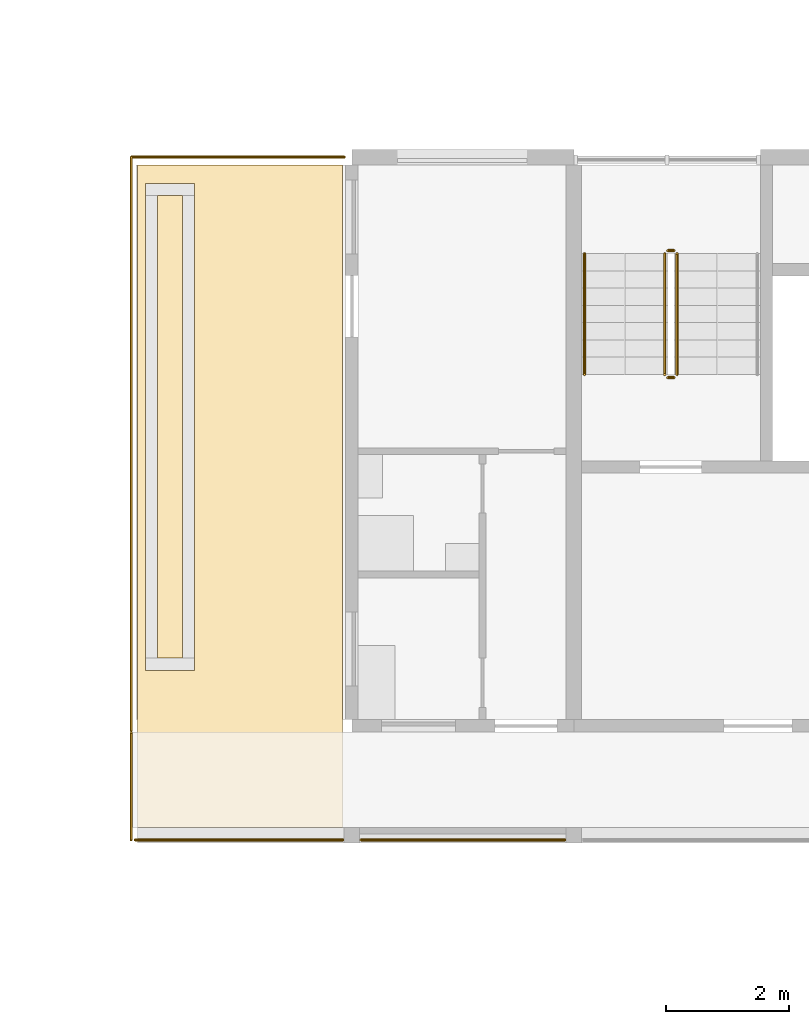
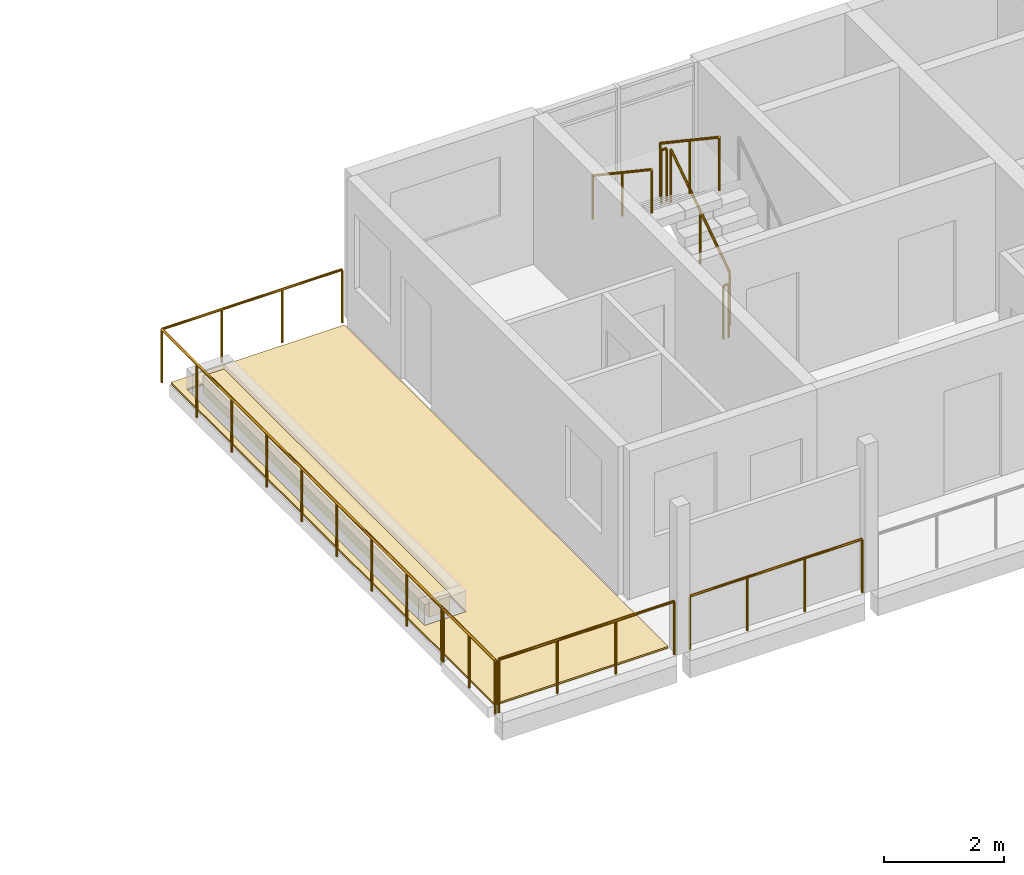
# One storey, part 73 of 87: 9 railings, 3 coverings.
"""IFC4 building model written with IfcOpenShell, lengths in metres."""

import ifcopenshell
import ifcopenshell.guid

model = None  # the IFC model being written
_history = None  # IfcOwnerHistory: only IFC2X3 demands one
_inside = {}  # id of a spatial element -> (the spatial element, [elements in it])
_under = {}  # id of a project, library or spatial element -> (it, [spatial elements below it])
_declared = {}  # id of a project -> (the project, [libraries it declares])
_typed = {}  # id of a type object -> (the type object, [elements of that type])
_made_of = {}  # id of a material, layer set ... -> (it, [elements and type objects made of it])


def new_model(schema):
    """Start an empty IFC model of exactly this schema.

    Asked for "IFC4X3", IfcOpenShell would pick the latest addendum, in which some entities
    have other attributes; the version numbers below select the first issue.
    IFC2X3 requires an IfcOwnerHistory on every rooted entity: one is made here for all.
    """
    global model, _history
    if schema == "IFC4X3":
        model = ifcopenshell.file(schema_version=(4, 3, 0, 0))
    else:
        model = ifcopenshell.file(schema=schema)
    _inside.clear()
    _under.clear()
    _declared.clear()
    _typed.clear()
    _made_of.clear()
    _history = None
    if model.schema == "IFC2X3":
        org = make("IfcOrganization", Name="unknown")
        user = make(
            "IfcPersonAndOrganization",
            ThePerson=make("IfcPerson", FamilyName="unknown"),
            TheOrganization=org,
        )
        app = make(
            "IfcApplication",
            ApplicationDeveloper=org,
            Version="unknown",
            ApplicationFullName="unknown",
            ApplicationIdentifier="unknown",
        )
        _history = make(
            "IfcOwnerHistory",
            OwningUser=user,
            OwningApplication=app,
            ChangeAction="ADDED",
            CreationDate=0,
        )
    return model


def make(cls, **values):
    """One entity of the class cls with the attributes given. An attribute that is None is left unset."""
    return model.create_entity(
        cls, **{name: value for name, value in values.items() if value is not None}
    )


def rooted(cls, **values):
    """An entity with a GlobalId (a new one), such as an element, a storey or a relation."""
    return make(cls, GlobalId=ifcopenshell.guid.new(), OwnerHistory=_history, **values)


def si_unit(unit_type, name, prefix=None):
    """IfcSIUnit, for example si_unit("LENGTHUNIT", "METRE", prefix="MILLI")."""
    return make("IfcSIUnit", UnitType=unit_type, Prefix=prefix, Name=name)


def assignment(units):
    """IfcUnitAssignment: the units of a project."""
    return None if units is None else make("IfcUnitAssignment", Units=units)


def point(xyz):
    """IfcCartesianPoint."""
    return None if xyz is None else make("IfcCartesianPoint", Coordinates=xyz)


def direction(xyz):
    """IfcDirection."""
    return None if xyz is None else make("IfcDirection", DirectionRatios=xyz)


def frame(location, z_axis=None, x_axis=None):
    """IfcAxis2Placement3D, a coordinate frame: its origin and axes. An axis left out is left unset."""
    return make(
        "IfcAxis2Placement3D",
        Location=point(location),
        Axis=direction(z_axis),
        RefDirection=direction(x_axis),
    )


def frame_2d(location, x_axis=None):
    """IfcAxis2Placement2D, a coordinate frame in the plane: its origin and x axis."""
    return make(
        "IfcAxis2Placement2D", Location=point(location), RefDirection=direction(x_axis)
    )


def origin():
    """The frame at (0, 0, 0) with its axes left unset."""
    return frame((0.0, 0.0, 0.0))


def origin_2d():
    """The frame at (0, 0) in the plane with its x axis left unset."""
    return frame_2d((0.0, 0.0))


def place(relative_to, where):
    """IfcLocalPlacement: puts the frame where relative to a parent placement (None: the world)."""
    return make(
        "IfcLocalPlacement", PlacementRelTo=relative_to, RelativePlacement=where
    )


def context(
    kind, dimensions, precision=None, world=None, true_north=None, identifier=None
):
    """IfcGeometricRepresentationContext, for example the 3D "Model" context."""
    return make(
        "IfcGeometricRepresentationContext",
        ContextIdentifier=identifier,
        ContextType=kind,
        CoordinateSpaceDimension=dimensions,
        Precision=precision,
        WorldCoordinateSystem=world,
        TrueNorth=true_north,
    )


def subcontext(parent, identifier, kind, view, scale=None):
    """IfcGeometricRepresentationSubContext, for example "Body" below "Model"."""
    return make(
        "IfcGeometricRepresentationSubContext",
        ContextIdentifier=identifier,
        ContextType=kind,
        ParentContext=parent,
        TargetScale=scale,
        TargetView=view,
    )


def project(units=None, contexts=None):
    """IfcProject with its units and contexts."""
    return rooted(
        "IfcProject",
        Name="project",
        RepresentationContexts=contexts,
        UnitsInContext=assignment(units),
    )


def spatial(cls, under=None, at=None, **own):
    """A site, building, storey or space (cls), placed at a placement, below another one or the project."""
    s = rooted(cls, ObjectPlacement=at, **own)
    if under is not None:
        _under.setdefault(under.id(), (under, []))[1].append(s)
    return s


def polyline(points):
    """IfcPolyline through the points."""
    return make("IfcPolyline", Points=[point(p) for p in points])


def profile(cls, at=None, kind="AREA", **sizes):
    """A parametric profile (cls). Its sizes go by their IFC names, for example OverallWidth=200.0."""
    return make(cls, ProfileType=kind, Position=at, **sizes)


def circle(**sizes):
    """IfcCircleProfileDef."""
    return profile("IfcCircleProfileDef", **sizes)


def outline(outer, holes=None, kind="AREA"):
    """IfcArbitraryClosedProfileDef: a profile drawn as a closed curve; with holes, ...WithVoids."""
    if holes is None:
        return make("IfcArbitraryClosedProfileDef", ProfileType=kind, OuterCurve=outer)
    return make(
        "IfcArbitraryProfileDefWithVoids",
        ProfileType=kind,
        OuterCurve=outer,
        InnerCurves=holes,
    )


def extrude(swept, where, along, depth):
    """IfcExtrudedAreaSolid: the profile swept, set in the frame where, extruded along a direction by depth."""
    return make(
        "IfcExtrudedAreaSolid",
        SweptArea=swept,
        Position=where,
        ExtrudedDirection=direction(along),
        Depth=depth,
    )


def shape(context_of_items, identifier, shape_type, items):
    """IfcShapeRepresentation: the items that make up one representation, for example the "Body"."""
    return make(
        "IfcShapeRepresentation",
        ContextOfItems=context_of_items,
        RepresentationIdentifier=identifier,
        RepresentationType=shape_type,
        Items=items,
    )


def material(Name=None, Category=None):
    """IfcMaterial."""
    return make("IfcMaterial", Name=Name, Category=Category)


def layer(
    of_material, thickness, ventilated=None, Name=None, Category=None, Priority=None
):
    """IfcMaterialLayer: one layer of a wall or slab, of a material (None: an air gap)."""
    return make(
        "IfcMaterialLayer",
        Material=of_material,
        LayerThickness=thickness,
        IsVentilated=ventilated,
        Name=Name,
        Category=Category,
        Priority=Priority,
    )


def layer_set(layers, Name=None):
    """IfcMaterialLayerSet."""
    return make("IfcMaterialLayerSet", MaterialLayers=layers, LayerSetName=Name)


def made_of(thing, what):
    """Note that an element or type object is made of a material, layer set ...; save() writes the relation."""
    if what is not None:
        _made_of.setdefault(what.id(), (what, []))[1].append(thing)
    return thing


def type_object(cls, material=None, **own):
    """A type object (cls), such as IfcWallType, which elements share."""
    return made_of(rooted(cls, **own), material)


def element(
    cls,
    number,
    at=None,
    inside=None,
    cuts=None,
    type_object=None,
    material=None,
    context=None,
    identifier="Body",
    shape_type=None,
    held_by="IfcProductDefinitionShape",
    body=None,
    shapes=None,
    **own,
):
    """One element of the class cls, such as IfcWall. Its Tag is "e" and its number.

    at: its placement. inside: the storey or other place that contains it. cuts: it is an
    opening in that element (IfcRelVoidsElement). A single representation is given by context,
    identifier, shape_type and body (its items); several are given by shapes. held_by: the class
    of the entity that holds the representations. save() writes the other relations.
    """
    e = rooted(cls, Tag="e%d" % number, ObjectPlacement=at, **own)
    if body is not None:
        shapes = [shape(context, identifier, shape_type, body)]
    if shapes is not None:
        e.Representation = make(held_by, Representations=shapes)
    if inside is not None:
        _inside.setdefault(inside.id(), (inside, []))[1].append(e)
    if cuts is not None:
        rooted(
            "IfcRelVoidsElement", RelatingBuildingElement=cuts, RelatedOpeningElement=e
        )
    if type_object is not None:
        _typed.setdefault(type_object.id(), (type_object, []))[1].append(e)
    return made_of(e, material)


def aggregate(whole, parts):
    """IfcRelAggregates: a whole, such as a stair, and the parts it consists of."""
    return rooted("IfcRelAggregates", RelatingObject=whole, RelatedObjects=parts)


def save(model, path):
    """Write the relations noted so far, then the file.

    IfcRelAggregates (storeys below a building ...), IfcRelContainedInSpatialStructure (elements
    in a storey), IfcRelDefinesByType, IfcRelAssociatesMaterial and IfcRelDeclares: one each for
    every whole, place, type object, material and project.
    """
    for whole, parts in _under.values():
        aggregate(whole, parts)
    for where, things in _inside.values():
        rooted(
            "IfcRelContainedInSpatialStructure",
            RelatedElements=things,
            RelatingStructure=where,
        )
    for kind, things in _typed.values():
        rooted("IfcRelDefinesByType", RelatedObjects=things, RelatingType=kind)
    for what, things in _made_of.values():
        rooted("IfcRelAssociatesMaterial", RelatedObjects=things, RelatingMaterial=what)
    for by, libraries in _declared.values():
        rooted("IfcRelDeclares", RelatingContext=by, RelatedDefinitions=libraries)
    model.write(path)


model = new_model("IFC4")

# Units and contexts
model_context = context("Model", 3, precision=1e-05, world=origin(), true_north=direction((0.0, 1.0)))
body_context = subcontext(model_context, "Body", "Model", "MODEL_VIEW")
ifc_project = project(units=[si_unit("LENGTHUNIT", "METRE"), si_unit("AREAUNIT", "SQUARE_METRE"), si_unit("VOLUMEUNIT", "CUBIC_METRE"), si_unit("PLANEANGLEUNIT", "RADIAN"), si_unit("MASSUNIT", "GRAM", prefix="KILO")], contexts=[model_context])

# Site, building, storey
site_placement = place(None, origin())
site = spatial("IfcSite", under=ifc_project, at=site_placement, CompositionType="ELEMENT")
building_placement = place(site_placement, origin())
building = spatial("IfcBuilding", under=site, at=building_placement, Name="Ridgestep Commons", CompositionType="ELEMENT")
storey_placement = place(building_placement, frame((0.0, 0.0, 27.0)))
storey = spatial("IfcBuildingStorey", under=building, at=storey_placement, Name="L09", CompositionType="ELEMENT", Elevation=27.0)

# Railings
ifc_material_1 = material(Name="Structural steel S355JR", Category="steel")
railing_type_1 = type_object("IfcRailingType", Name="Guard 1100", PredefinedType="GUARDRAIL", material=ifc_material_1)
railing_1_placement = place(storey_placement, frame((66.02099609375, 67.821044921875, 0.0)))
element("IfcRailing", 1, at=railing_1_placement, inside=storey, type_object=railing_type_1, Name="Guard TD-B4R2-GD", PredefinedType="GUARDRAIL", context=body_context, shape_type="SweptSolid", body=[
    extrude(circle(Radius=0.02392578125, at=origin_2d()), frame((0.0, 0.0, 1.076171875), z_axis=(0.0, 1.0, 0.0), x_axis=(-1.0, 0.0, 0.0)), (0.0, 0.0, 1.0), 9.303955078125),
    extrude(circle(Radius=0.02392578125, at=origin_2d()), frame((0.0, 9.303955078125, 1.076171875), z_axis=(1.0, 0.0, 0.0), x_axis=(0.0, 1.0, 0.0)), (0.0, 0.0, 1.0), 3.4580078125),
    extrude(circle(Radius=0.02099609375, at=origin_2d()), origin(), (0.0, 0.0, 1.0), 1.052001953125),
    extrude(circle(Radius=0.02099609375, at=origin_2d()), frame((0.0, 1.1630859375, 0.0)), (0.0, 0.0, 1.0), 1.052001953125),
    extrude(circle(Radius=0.02099609375, at=origin_2d()), frame((0.0, 2.325927734375, 0.0)), (0.0, 0.0, 1.0), 1.052001953125),
    extrude(circle(Radius=0.02099609375, at=origin_2d()), frame((0.0, 3.489013671875, 0.0)), (0.0, 0.0, 1.0), 1.052001953125),
    extrude(circle(Radius=0.02099609375, at=origin_2d()), frame((0.0, 4.65185546875, 0.0)), (0.0, 0.0, 1.0), 1.052001953125),
    extrude(circle(Radius=0.02099609375, at=origin_2d()), frame((0.0, 5.81494140625, 0.0)), (0.0, 0.0, 1.0), 1.052001953125),
    extrude(circle(Radius=0.02099609375, at=origin_2d()), frame((0.0, 6.97802734375, 0.0)), (0.0, 0.0, 1.0), 1.052001953125),
    extrude(circle(Radius=0.02099609375, at=origin_2d()), frame((0.0, 8.140869140625, 0.0)), (0.0, 0.0, 1.0), 1.052001953125),
    extrude(circle(Radius=0.02099609375, at=origin_2d()), frame((0.0, 9.303955078125, 0.0)), (0.0, 0.0, 1.0), 1.052001953125),
    extrude(circle(Radius=0.02099609375, at=origin_2d()), frame((1.152587890625, 9.303955078125, 0.0)), (0.0, 0.0, 1.0), 1.052001953125),
    extrude(circle(Radius=0.02099609375, at=origin_2d()), frame((2.305419921875, 9.303955078125, 0.0)), (0.0, 0.0, 1.0), 1.052001953125),
    extrude(circle(Radius=0.02099609375, at=origin_2d()), frame((3.4580078125, 9.303955078125, 0.0)), (0.0, 0.0, 1.0), 1.052001953125),
])
railing_2_placement = place(storey_placement, frame((66.083984375, 66.050048828125, 0.0)))
element("IfcRailing", 2, at=railing_2_placement, inside=storey, type_object=railing_type_1, Name="Gallery guard B 09.1", PredefinedType="GUARDRAIL", context=body_context, shape_type="SweptSolid", body=[
    extrude(circle(Radius=0.02392578125, at=origin_2d()), frame((0.0, 0.0, 1.076171875), z_axis=(1.0, 0.0, 0.0), x_axis=(0.0, 1.0, 0.0)), (0.0, 0.0, 1.0), 3.3701171875),
    extrude(circle(Radius=0.02099609375, at=origin_2d()), origin(), (0.0, 0.0, 1.0), 1.052001953125),
    extrude(circle(Radius=0.02099609375, at=origin_2d()), frame((1.123291015625, 0.0, 0.0)), (0.0, 0.0, 1.0), 1.052001953125),
    extrude(circle(Radius=0.02099609375, at=origin_2d()), frame((2.246826171875, 0.0, 0.0)), (0.0, 0.0, 1.0), 1.052001953125),
    extrude(circle(Radius=0.02099609375, at=origin_2d()), frame((3.3701171875, 0.0, 0.0)), (0.0, 0.0, 1.0), 1.052001953125),
])
railing_3_placement = place(storey_placement, frame((66.02099609375, 66.050048828125, 0.0)))
element("IfcRailing", 3, at=railing_3_placement, inside=storey, type_object=railing_type_1, Name="Gallery end guard B 09.1W", PredefinedType="GUARDRAIL", context=body_context, shape_type="SweptSolid", body=[
    extrude(circle(Radius=0.02392578125, at=origin_2d()), frame((0.0, 0.0, 1.076171875), z_axis=(0.0, 1.0, 0.0), x_axis=(-1.0, 0.0, 0.0)), (0.0, 0.0, 1.0), 1.72900390625),
    extrude(circle(Radius=0.02099609375, at=origin_2d()), origin(), (0.0, 0.0, 1.0), 1.052001953125),
    extrude(circle(Radius=0.02099609375, at=origin_2d()), frame((0.0, 0.864501953125, 0.0)), (0.0, 0.0, 1.0), 1.052001953125),
    extrude(circle(Radius=0.02099609375, at=origin_2d()), frame((0.0, 1.72900390625, 0.0)), (0.0, 0.0, 1.0), 1.052001953125),
])
railing_4_placement = place(storey_placement, frame((69.74609375, 66.050048828125, 0.0)))
element("IfcRailing", 4, at=railing_4_placement, inside=storey, type_object=railing_type_1, Name="Gallery guard B 09.2", PredefinedType="GUARDRAIL", context=body_context, shape_type="SweptSolid", body=[
    extrude(circle(Radius=0.02392578125, at=origin_2d()), frame((0.0, 0.0, 1.076171875), z_axis=(1.0, 0.0, 0.0), x_axis=(0.0, 1.0, 0.0)), (0.0, 0.0, 1.0), 3.307861328125),
    extrude(circle(Radius=0.02099609375, at=origin_2d()), origin(), (0.0, 0.0, 1.0), 1.052001953125),
    extrude(circle(Radius=0.02099609375, at=origin_2d()), frame((1.1025390625, 0.0, 0.0)), (0.0, 0.0, 1.0), 1.052001953125),
    extrude(circle(Radius=0.02099609375, at=origin_2d()), frame((2.205322265625, 0.0, 0.0)), (0.0, 0.0, 1.0), 1.052001953125),
    extrude(circle(Radius=0.02099609375, at=origin_2d()), frame((3.307861328125, 0.0, 0.0)), (0.0, 0.0, 1.0), 1.052001953125),
])

# Covering
ifc_material_2 = material(Name="Planting soil")
ifc_layer_1 = layer(ifc_material_2, 0.35009765625)
ifc_layer_set_1 = layer_set([ifc_layer_1], Name="Planting soil 350")
covering_type_1 = type_object("IfcCoveringType", Name="Planting soil 350", PredefinedType="FLOORING", material=ifc_layer_set_1)
covering_1_placement = place(storey_placement, frame((0.0, 0.0, 0.010009765625)))
element("IfcCovering", 5, at=covering_1_placement, inside=storey, type_object=covering_type_1, Name="Planting soil B4R2", PredefinedType="FLOORING", context=body_context, shape_type="SweptSolid", body=[
    extrude(outline(polyline([(66.449951171875, 69.0), (66.85009765625, 69.0), (66.85009765625, 76.5), (66.449951171875, 76.5), (66.449951171875, 69.0)])), origin(), (0.0, 0.0, 1.0), 0.35009765625),
])

# Railings
ifc_material_3 = material(Name="Structural steel S355JR", Category="steel")
railing_type_2 = type_object("IfcRailingType", Name="Stair guard 1100", PredefinedType="GUARDRAIL", material=ifc_material_3)
railing_5_placement = place(storey_placement, frame((74.875, 73.60009765625, 0.1875)))
element("IfcRailing", 6, at=railing_5_placement, inside=storey, type_object=railing_type_2, Name="L09 B4C stair guard 1", PredefinedType="GUARDRAIL", context=body_context, shape_type="SweptSolid", body=[
    extrude(circle(Radius=0.02392578125, at=origin_2d()), frame((0.0, 0.0, 1.076171875), z_axis=(0.0, 0.830902050051, 0.556418712142), x_axis=(-1.0, 0.0, 0.0)), (0.0, 0.0, 1.0), 2.35888671875),
    extrude(circle(Radius=0.02099609375, at=origin_2d()), origin(), (0.0, 0.0, 1.0), 1.052001953125),
    extrude(circle(Radius=0.02099609375, at=origin_2d()), frame((0.0, 0.97998046875, 0.65625)), (0.0, 0.0, 1.0), 1.052001953125),
    extrude(circle(Radius=0.02099609375, at=origin_2d()), frame((0.0, 1.9599609375, 1.3125)), (0.0, 0.0, 1.0), 1.052001953125),
])
railing_6_placement = place(storey_placement, frame((74.824951171875, 75.610107421875, 1.5)))
element("IfcRailing", 7, at=railing_6_placement, inside=storey, type_object=railing_type_2, Name="L09 B4C stair guard 2", PredefinedType="GUARDRAIL", context=body_context, shape_type="SweptSolid", body=[
    extrude(circle(Radius=0.02392578125, at=origin_2d()), frame((0.0, 0.0, 1.076171875), z_axis=(-1.0, 0.0, 0.0), x_axis=(0.0, -1.0, 0.0)), (0.0, 0.0, 1.0), 0.099853515625),
    extrude(circle(Radius=0.02099609375, at=origin_2d()), origin(), (0.0, 0.0, 1.0), 1.052001953125),
    extrude(circle(Radius=0.02099609375, at=origin_2d()), frame((-0.099853515625, 0.0, 0.0)), (0.0, 0.0, 1.0), 1.052001953125),
])
railing_7_placement = place(storey_placement, frame((74.675048828125, 75.56005859375, 1.6875)))
element("IfcRailing", 8, at=railing_7_placement, inside=storey, type_object=railing_type_2, Name="L09 B4C stair guard 3", PredefinedType="GUARDRAIL", context=body_context, shape_type="SweptSolid", body=[
    extrude(circle(Radius=0.02392578125, at=origin_2d()), frame((0.0, 0.0, 1.076171875), z_axis=(0.0, -0.830902050051, 0.556418712142), x_axis=(1.0, 0.0, 0.0)), (0.0, 0.0, 1.0), 2.35888671875),
    extrude(circle(Radius=0.02099609375, at=origin_2d()), origin(), (0.0, 0.0, 1.0), 1.052001953125),
    extrude(circle(Radius=0.02099609375, at=origin_2d()), frame((0.0, -0.97998046875, 0.65625)), (0.0, 0.0, 1.0), 1.052001953125),
    extrude(circle(Radius=0.02099609375, at=origin_2d()), frame((0.0, -1.9599609375, 1.3125)), (0.0, 0.0, 1.0), 1.052001953125),
])
railing_8_placement = place(storey_placement, frame((74.824951171875, 73.550048828125, 0.0)))
element("IfcRailing", 9, at=railing_8_placement, inside=storey, type_object=railing_type_2, Name="L09 B4C stair guard 4", PredefinedType="GUARDRAIL", context=body_context, shape_type="SweptSolid", body=[
    extrude(circle(Radius=0.02392578125, at=origin_2d()), frame((0.0, 0.0, 1.076171875), z_axis=(-1.0, 0.0, 0.0), x_axis=(0.0, -1.0, 0.0)), (0.0, 0.0, 1.0), 0.099853515625),
    extrude(circle(Radius=0.02099609375, at=origin_2d()), origin(), (0.0, 0.0, 1.0), 1.052001953125),
    extrude(circle(Radius=0.02099609375, at=origin_2d()), frame((-0.099853515625, 0.0, 0.0)), (0.0, 0.0, 1.0), 1.052001953125),
])
ifc_material_4 = material(Name="Structural steel S355JR", Category="steel")
railing_type_3 = type_object("IfcRailingType", Name="Stair handrail 900", PredefinedType="HANDRAIL", material=ifc_material_4)
railing_9_placement = place(storey_placement, frame((73.375, 75.56005859375, 1.6875)))
element("IfcRailing", 10, at=railing_9_placement, inside=storey, type_object=railing_type_3, Name="L09 B4C stair handrail 2", PredefinedType="HANDRAIL", context=body_context, shape_type="SweptSolid", body=[
    extrude(circle(Radius=0.02392578125, at=origin_2d()), frame((0.0, 0.0, 0.8759765625), z_axis=(0.0, -0.830902050051, 0.556418712142), x_axis=(1.0, 0.0, 0.0)), (0.0, 0.0, 1.0), 2.35888671875),
    extrude(circle(Radius=0.02099609375, at=origin_2d()), origin(), (0.0, 0.0, 1.0), 0.851806640625),
    extrude(circle(Radius=0.02099609375, at=origin_2d()), frame((0.0, -0.97998046875, 0.65625)), (0.0, 0.0, 1.0), 0.851806640625),
    extrude(circle(Radius=0.02099609375, at=origin_2d()), frame((0.0, -1.9599609375, 1.3125)), (0.0, 0.0, 1.0), 0.851806640625),
])

# Coverings
ifc_material_5 = material(Name="Bitumen membrane, two layer")
ifc_layer_2 = layer(ifc_material_5, 0.010009765625)
ifc_layer_set_2 = layer_set([ifc_layer_2], Name="Terrace membrane 10")
covering_type_2 = type_object("IfcCoveringType", Name="Terrace membrane 10", PredefinedType="ROOFING", material=ifc_layer_set_2)
covering_2_placement = place(storey_placement, origin())
element("IfcCovering", 11, at=covering_2_placement, inside=storey, type_object=covering_type_2, Name="Terrace membrane B4R2", PredefinedType="ROOFING", context=body_context, shape_type="SweptSolid", body=[
    extrude(outline(polyline([(69.449951171875, 66.25), (69.449951171875, 77.0), (66.125, 77.0), (66.125, 66.25), (69.449951171875, 66.25)]), holes=[polyline([(67.050048828125, 68.800048828125), (67.050048828125, 76.699951171875), (66.25, 76.699951171875), (66.25, 68.800048828125), (67.050048828125, 68.800048828125)])]), origin(), (0.0, 0.0, 1.0), 0.010009765625),
])
ifc_material_6 = material(Name="Concrete paving slab", Category="concrete")
ifc_layer_3 = layer(ifc_material_6, 0.030029296875)
ifc_layer_set_3 = layer_set([ifc_layer_3], Name="Terrace paving 30")
covering_type_3 = type_object("IfcCoveringType", Name="Terrace paving 30", PredefinedType="FLOORING", material=ifc_layer_set_3)
covering_3_placement = place(storey_placement, frame((0.0, 0.0, 0.010009765625)))
element("IfcCovering", 12, at=covering_3_placement, inside=storey, type_object=covering_type_3, Name="Terrace paving B4R2", PredefinedType="FLOORING", context=body_context, shape_type="SweptSolid", body=[
    extrude(outline(polyline([(69.449951171875, 66.25), (69.449951171875, 77.0), (66.125, 77.0), (66.125, 66.25), (69.449951171875, 66.25)]), holes=[polyline([(67.050048828125, 68.800048828125), (67.050048828125, 76.699951171875), (66.25, 76.699951171875), (66.25, 68.800048828125), (67.050048828125, 68.800048828125)])]), origin(), (0.0, 0.0, 1.0), 0.030029296875),
])

save(model, "model.ifc")
